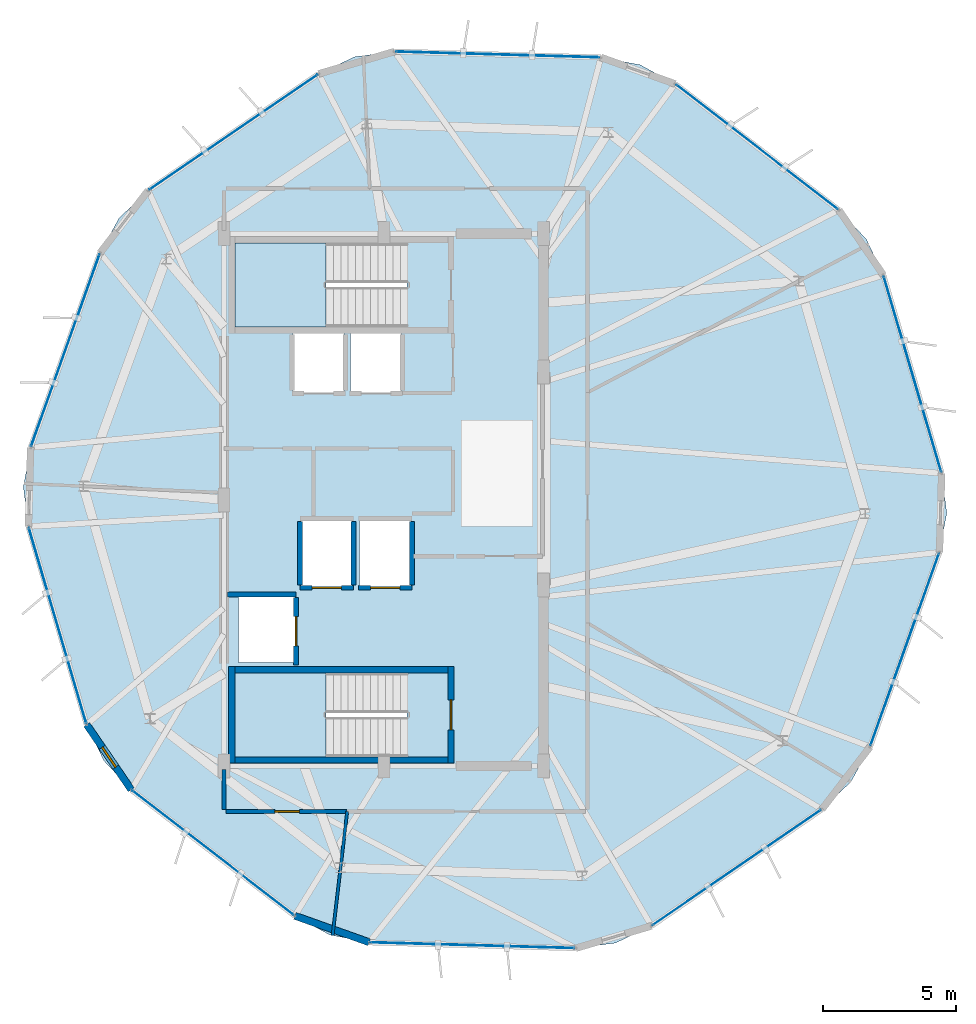
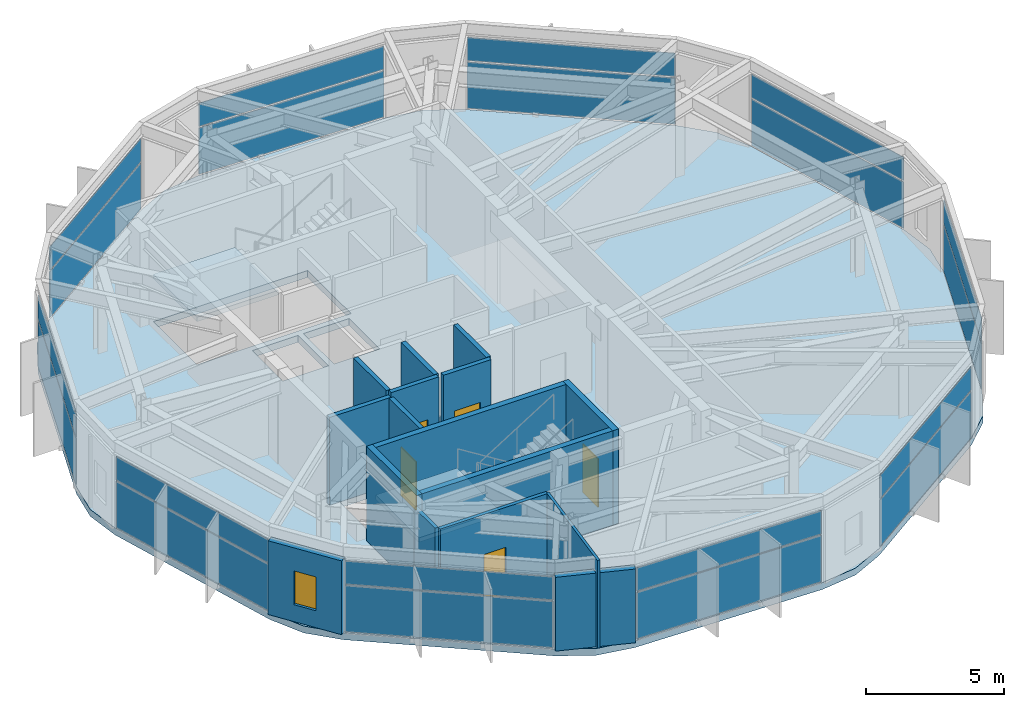
# One storey, part 15 of 20: 20 plates, 16 walls, 5 doors, 3 slabs, 1 window, 6 openings, 12 elements without a shape of their own.
"""IFC4 building model written with IfcOpenShell, lengths in metres."""

from ifc_helpers import new_model, si_unit, direction, frame, frame_2d, origin, origin_2d, place, context, subcontext, project, spatial, polyline, rectangle, outline, extrude, material, layer, layer_set, type_object, element, fill, aggregate, save


model = new_model("IFC4")

# Units and contexts
model_context = context("Model", 3, precision=1e-05, world=origin(), true_north=direction((0.0, 1.0)))
body_context = subcontext(model_context, "Body", "Model", "MODEL_VIEW")
ifc_project = project(units=[si_unit("LENGTHUNIT", "METRE"), si_unit("AREAUNIT", "SQUARE_METRE"), si_unit("VOLUMEUNIT", "CUBIC_METRE"), si_unit("PLANEANGLEUNIT", "RADIAN"), si_unit("MASSUNIT", "GRAM", prefix="KILO")], contexts=[model_context])

# Site, building, storey
site_placement = place(None, origin())
site = spatial("IfcSite", under=ifc_project, at=site_placement, CompositionType="ELEMENT")
building_placement = place(site_placement, origin())
building = spatial("IfcBuilding", under=site, at=building_placement, Name="Soratama Intermodal Tower", CompositionType="ELEMENT")
storey_placement = place(building_placement, frame((0.0, 0.0, 293.050048828125)))
storey = spatial("IfcBuildingStorey", under=building, at=storey_placement, Name="L74", CompositionType="ELEMENT", Elevation=293.050048828125)

# Curtain wall, plates
ifc_material_1 = material(Name="Double-glazed aluminium curtain wall", Category="aluminium")
ifc_layer_1 = layer(ifc_material_1, 0.159912109375)
ifc_layer_set_1 = layer_set([ifc_layer_1], Name="Double-glazed aluminium curtain wall")
curtain_wall_type = type_object("IfcCurtainWallType", Name="CW-SYS-6", PredefinedType="NOTDEFINED", material=ifc_layer_set_1)
curtain_wall_1_placement = place(storey_placement, origin())
curtain_wall_1 = element("IfcCurtainWall", 1, at=curtain_wall_1_placement, inside=storey, type_object=curtain_wall_type, Name="L74 Faceted Curtain Wall F01", PredefinedType="NOTDEFINED")
ifc_material_2 = material(Name="Low-E laminated double glazing", Category="glass")
ifc_layer_2 = layer(ifc_material_2, 0.01806640625)
ifc_layer_set_2 = layer_set([ifc_layer_2], Name="Low-E laminated double glazing")
plate_type = type_object("IfcPlateType", Name="PT-CWP-6", PredefinedType="CURTAIN_PANEL", material=ifc_layer_set_2)
plate_1_placement = place(storey_placement, frame((42.873291015625, 41.73193359375, 0.059814453125), z_axis=(0.0, 0.0, 1.0), x_axis=(-0.999600037722, 0.028280109381, 0.0)))
plate_1 = element("IfcPlate", 2, at=plate_1_placement, type_object=plate_type, Name="CW-6 panel 1.1", PredefinedType="CURTAIN_PANEL", context=body_context, shape_type="SweptSolid", body=[
    extrude(rectangle(XDim=7.63818359375, YDim=0.028076171875, at=origin_2d()), origin(), (0.0, 0.0, 1.0), 2.06005859375),
])
plate_2_placement = place(storey_placement, frame((42.873291015625, 41.73193359375, 2.18017578125), z_axis=(0.0, 0.0, 1.0), x_axis=(-0.999600037722, 0.028280109381, 0.0)))
plate_2 = element("IfcPlate", 3, at=plate_2_placement, type_object=plate_type, Name="CW-6 panel 1.2", PredefinedType="CURTAIN_PANEL", context=body_context, shape_type="SweptSolid", body=[
    extrude(rectangle(XDim=7.63818359375, YDim=0.028076171875, at=origin_2d()), origin(), (0.0, 0.0, 1.0), 1.033935546875),
])
aggregate(curtain_wall_1, [plate_1, plate_2])

curtain_wall_2_placement = place(storey_placement, origin())
curtain_wall_2 = element("IfcCurtainWall", 4, at=curtain_wall_2_placement, inside=storey, type_object=curtain_wall_type, Name="L74 Faceted Curtain Wall F02", PredefinedType="NOTDEFINED")
plate_3_placement = place(storey_placement, frame((32.947998046875, 38.814453125, 0.059814453125), z_axis=(0.0, 0.0, 1.0), x_axis=(-0.825309158209, -0.564681143103, 0.0)))
plate_3 = element("IfcPlate", 5, at=plate_3_placement, type_object=plate_type, Name="CW-6 panel 1.1", PredefinedType="CURTAIN_PANEL", context=body_context, shape_type="SweptSolid", body=[
    extrude(rectangle(XDim=7.63818359375, YDim=0.028076171875, at=origin_2d()), origin(), (0.0, 0.0, 1.0), 2.06005859375),
])
plate_4_placement = place(storey_placement, frame((32.947998046875, 38.814453125, 2.18017578125), z_axis=(0.0, 0.0, 1.0), x_axis=(-0.825309158209, -0.564681143103, 0.0)))
plate_4 = element("IfcPlate", 6, at=plate_4_placement, type_object=plate_type, Name="CW-6 panel 1.2", PredefinedType="CURTAIN_PANEL", context=body_context, shape_type="SweptSolid", body=[
    extrude(rectangle(XDim=7.63818359375, YDim=0.028076171875, at=origin_2d()), origin(), (0.0, 0.0, 1.0), 1.033935546875),
])
aggregate(curtain_wall_2, [plate_3, plate_4])

curtain_wall_3_placement = place(storey_placement, origin())
curtain_wall_3 = element("IfcCurtainWall", 7, at=curtain_wall_3_placement, inside=storey, type_object=curtain_wall_type, Name="L74 Faceted Curtain Wall F03", PredefinedType="NOTDEFINED")
plate_5_placement = place(storey_placement, frame((26.63330078125, 30.62060546875, 0.059814453125), z_axis=(0.0, 0.0, 1.0), x_axis=(-0.335784365344, -0.941938883362, 0.0)))
plate_5 = element("IfcPlate", 8, at=plate_5_placement, type_object=plate_type, Name="CW-6 panel 1.1", PredefinedType="CURTAIN_PANEL", context=body_context, shape_type="SweptSolid", body=[
    extrude(rectangle(XDim=7.63818359375, YDim=0.028076171875, at=origin_2d()), origin(), (0.0, 0.0, 1.0), 2.06005859375),
])
plate_6_placement = place(storey_placement, frame((26.63330078125, 30.62060546875, 2.18017578125), z_axis=(0.0, 0.0, 1.0), x_axis=(-0.335784365344, -0.941938883362, 0.0)))
plate_6 = element("IfcPlate", 9, at=plate_6_placement, type_object=plate_type, Name="CW-6 panel 1.2", PredefinedType="CURTAIN_PANEL", context=body_context, shape_type="SweptSolid", body=[
    extrude(rectangle(XDim=7.63818359375, YDim=0.028076171875, at=origin_2d()), origin(), (0.0, 0.0, 1.0), 1.033935546875),
])
aggregate(curtain_wall_3, [plate_5, plate_6])

curtain_wall_4_placement = place(storey_placement, origin())
curtain_wall_4 = element("IfcCurtainWall", 10, at=curtain_wall_4_placement, inside=storey, type_object=curtain_wall_type, Name="L74 Faceted Curtain Wall F04", PredefinedType="NOTDEFINED")
plate_7_placement = place(storey_placement, frame((26.3408203125, 20.279541015625, 0.059814453125), z_axis=(0.0, 0.0, 1.0), x_axis=(0.282003021758, -0.95941351654, 0.0)))
plate_7 = element("IfcPlate", 11, at=plate_7_placement, type_object=plate_type, Name="CW-6 panel 1.1", PredefinedType="CURTAIN_PANEL", context=body_context, shape_type="SweptSolid", body=[
    extrude(rectangle(XDim=7.63818359375, YDim=0.028076171875, at=origin_2d()), origin(), (0.0, 0.0, 1.0), 2.06005859375),
])
plate_8_placement = place(storey_placement, frame((26.3408203125, 20.279541015625, 2.18017578125), z_axis=(0.0, 0.0, 1.0), x_axis=(0.282003021758, -0.95941351654, 0.0)))
plate_8 = element("IfcPlate", 12, at=plate_8_placement, type_object=plate_type, Name="CW-6 panel 1.2", PredefinedType="CURTAIN_PANEL", context=body_context, shape_type="SweptSolid", body=[
    extrude(rectangle(XDim=7.63818359375, YDim=0.028076171875, at=origin_2d()), origin(), (0.0, 0.0, 1.0), 1.033935546875),
])
aggregate(curtain_wall_4, [plate_7, plate_8])

curtain_wall_5_placement = place(storey_placement, origin())
curtain_wall_5 = element("IfcCurtainWall", 13, at=curtain_wall_5_placement, inside=storey, type_object=curtain_wall_type, Name="L74 Faceted Curtain Wall F05", PredefinedType="NOTDEFINED")
plate_9_placement = place(storey_placement, frame((32.182373046875, 11.74169921875, 0.059814453125), z_axis=(0.0, 0.0, 1.0), x_axis=(0.79207693295, -0.61042127444, 0.0)))
plate_9 = element("IfcPlate", 14, at=plate_9_placement, type_object=plate_type, Name="CW-6 panel 1.1", PredefinedType="CURTAIN_PANEL", context=body_context, shape_type="SweptSolid", body=[
    extrude(rectangle(XDim=7.63818359375, YDim=0.028076171875, at=origin_2d()), origin(), (0.0, 0.0, 1.0), 2.06005859375),
])
plate_10_placement = place(storey_placement, frame((32.182373046875, 11.74169921875, 2.18017578125), z_axis=(0.0, 0.0, 1.0), x_axis=(0.79207693295, -0.61042127444, 0.0)))
plate_10 = element("IfcPlate", 15, at=plate_10_placement, type_object=plate_type, Name="CW-6 panel 1.2", PredefinedType="CURTAIN_PANEL", context=body_context, shape_type="SweptSolid", body=[
    extrude(rectangle(XDim=7.63818359375, YDim=0.028076171875, at=origin_2d()), origin(), (0.0, 0.0, 1.0), 1.033935546875),
])
aggregate(curtain_wall_5, [plate_9, plate_10])

curtain_wall_6_placement = place(storey_placement, origin())
curtain_wall_6 = element("IfcCurtainWall", 16, at=curtain_wall_6_placement, inside=storey, type_object=curtain_wall_type, Name="L74 Faceted Curtain Wall F06", PredefinedType="NOTDEFINED")
plate_11_placement = place(storey_placement, frame((41.9267578125, 8.26806640625, 0.059814453125), z_axis=(0.0, 0.0, 1.0), x_axis=(0.999600037722, -0.028280109381, 0.0)))
plate_11 = element("IfcPlate", 17, at=plate_11_placement, type_object=plate_type, Name="CW-6 panel 1.1", PredefinedType="CURTAIN_PANEL", context=body_context, shape_type="SweptSolid", body=[
    extrude(rectangle(XDim=7.63818359375, YDim=0.028076171875, at=origin_2d()), origin(), (0.0, 0.0, 1.0), 2.06005859375),
])
plate_12_placement = place(storey_placement, frame((41.9267578125, 8.26806640625, 2.18017578125), z_axis=(0.0, 0.0, 1.0), x_axis=(0.999600037722, -0.028280109381, 0.0)))
plate_12 = element("IfcPlate", 18, at=plate_12_placement, type_object=plate_type, Name="CW-6 panel 1.2", PredefinedType="CURTAIN_PANEL", context=body_context, shape_type="SweptSolid", body=[
    extrude(rectangle(XDim=7.63818359375, YDim=0.028076171875, at=origin_2d()), origin(), (0.0, 0.0, 1.0), 1.033935546875),
])
aggregate(curtain_wall_6, [plate_11, plate_12])

curtain_wall_7_placement = place(storey_placement, origin())
curtain_wall_7 = element("IfcCurtainWall", 19, at=curtain_wall_7_placement, inside=storey, type_object=curtain_wall_type, Name="L74 Faceted Curtain Wall F07", PredefinedType="NOTDEFINED")
plate_13_placement = place(storey_placement, frame((51.85205078125, 11.185546875, 0.059814453125), z_axis=(0.0, 0.0, 1.0), x_axis=(0.825309158209, 0.564681143103, 0.0)))
plate_13 = element("IfcPlate", 20, at=plate_13_placement, type_object=plate_type, Name="CW-6 panel 1.1", PredefinedType="CURTAIN_PANEL", context=body_context, shape_type="SweptSolid", body=[
    extrude(rectangle(XDim=7.63818359375, YDim=0.028076171875, at=origin_2d()), origin(), (0.0, 0.0, 1.0), 2.06005859375),
])
plate_14_placement = place(storey_placement, frame((51.85205078125, 11.185546875, 2.18017578125), z_axis=(0.0, 0.0, 1.0), x_axis=(0.825309158209, 0.564681143103, 0.0)))
plate_14 = element("IfcPlate", 21, at=plate_14_placement, type_object=plate_type, Name="CW-6 panel 1.2", PredefinedType="CURTAIN_PANEL", context=body_context, shape_type="SweptSolid", body=[
    extrude(rectangle(XDim=7.63818359375, YDim=0.028076171875, at=origin_2d()), origin(), (0.0, 0.0, 1.0), 1.033935546875),
])
aggregate(curtain_wall_7, [plate_13, plate_14])

curtain_wall_8_placement = place(storey_placement, origin())
curtain_wall_8 = element("IfcCurtainWall", 22, at=curtain_wall_8_placement, inside=storey, type_object=curtain_wall_type, Name="L74 Faceted Curtain Wall F08", PredefinedType="NOTDEFINED")
plate_15_placement = place(storey_placement, frame((58.166748046875, 19.37939453125, 0.059814453125), z_axis=(0.0, 0.0, 1.0), x_axis=(0.335784365344, 0.941938883362, 0.0)))
plate_15 = element("IfcPlate", 23, at=plate_15_placement, type_object=plate_type, Name="CW-6 panel 1.1", PredefinedType="CURTAIN_PANEL", context=body_context, shape_type="SweptSolid", body=[
    extrude(rectangle(XDim=7.63818359375, YDim=0.028076171875, at=origin_2d()), origin(), (0.0, 0.0, 1.0), 2.06005859375),
])
plate_16_placement = place(storey_placement, frame((58.166748046875, 19.37939453125, 2.18017578125), z_axis=(0.0, 0.0, 1.0), x_axis=(0.335784365344, 0.941938883362, 0.0)))
plate_16 = element("IfcPlate", 24, at=plate_16_placement, type_object=plate_type, Name="CW-6 panel 1.2", PredefinedType="CURTAIN_PANEL", context=body_context, shape_type="SweptSolid", body=[
    extrude(rectangle(XDim=7.63818359375, YDim=0.028076171875, at=origin_2d()), origin(), (0.0, 0.0, 1.0), 1.033935546875),
])
aggregate(curtain_wall_8, [plate_15, plate_16])

curtain_wall_9_placement = place(storey_placement, origin())
curtain_wall_9 = element("IfcCurtainWall", 25, at=curtain_wall_9_placement, inside=storey, type_object=curtain_wall_type, Name="L74 Faceted Curtain Wall F09", PredefinedType="NOTDEFINED")
plate_17_placement = place(storey_placement, frame((58.459228515625, 29.720458984375, 0.059814453125), z_axis=(0.0, 0.0, 1.0), x_axis=(-0.282003021758, 0.95941351654, 0.0)))
plate_17 = element("IfcPlate", 26, at=plate_17_placement, type_object=plate_type, Name="CW-6 panel 1.1", PredefinedType="CURTAIN_PANEL", context=body_context, shape_type="SweptSolid", body=[
    extrude(rectangle(XDim=7.63818359375, YDim=0.028076171875, at=origin_2d()), origin(), (0.0, 0.0, 1.0), 2.06005859375),
])
plate_18_placement = place(storey_placement, frame((58.459228515625, 29.720458984375, 2.18017578125), z_axis=(0.0, 0.0, 1.0), x_axis=(-0.282003021758, 0.95941351654, 0.0)))
plate_18 = element("IfcPlate", 27, at=plate_18_placement, type_object=plate_type, Name="CW-6 panel 1.2", PredefinedType="CURTAIN_PANEL", context=body_context, shape_type="SweptSolid", body=[
    extrude(rectangle(XDim=7.63818359375, YDim=0.028076171875, at=origin_2d()), origin(), (0.0, 0.0, 1.0), 1.033935546875),
])
aggregate(curtain_wall_9, [plate_17, plate_18])

curtain_wall_10_placement = place(storey_placement, origin())
curtain_wall_10 = element("IfcCurtainWall", 28, at=curtain_wall_10_placement, inside=storey, type_object=curtain_wall_type, Name="L74 Faceted Curtain Wall F10", PredefinedType="NOTDEFINED")
plate_19_placement = place(storey_placement, frame((52.61767578125, 38.25830078125, 0.059814453125), z_axis=(0.0, 0.0, 1.0), x_axis=(-0.79207693295, 0.61042127444, 0.0)))
plate_19 = element("IfcPlate", 29, at=plate_19_placement, type_object=plate_type, Name="CW-6 panel 1.1", PredefinedType="CURTAIN_PANEL", context=body_context, shape_type="SweptSolid", body=[
    extrude(rectangle(XDim=7.63818359375, YDim=0.028076171875, at=origin_2d()), origin(), (0.0, 0.0, 1.0), 2.06005859375),
])
plate_20_placement = place(storey_placement, frame((52.61767578125, 38.25830078125, 2.18017578125), z_axis=(0.0, 0.0, 1.0), x_axis=(-0.79207693295, 0.61042127444, 0.0)))
plate_20 = element("IfcPlate", 30, at=plate_20_placement, type_object=plate_type, Name="CW-6 panel 1.2", PredefinedType="CURTAIN_PANEL", context=body_context, shape_type="SweptSolid", body=[
    extrude(rectangle(XDim=7.63818359375, YDim=0.028076171875, at=origin_2d()), origin(), (0.0, 0.0, 1.0), 1.033935546875),
])
aggregate(curtain_wall_10, [plate_19, plate_20])

# Slab
ifc_material_3 = material(Name="Concrete f'c 42 MPa", Category="concrete")
ifc_layer_3 = layer(ifc_material_3, 0.260009765625)
ifc_layer_set_3 = layer_set([ifc_layer_3], Name="Concrete f'c 42 MPa")
slab_type_1 = type_object("IfcSlabType", Name="SL-CRN-260", PredefinedType="FLOOR", material=ifc_layer_set_3)
slab_1_placement = place(storey_placement, frame((0.0, 0.0, -0.304931640625)))
element("IfcSlab", 31, at=slab_1_placement, inside=storey, type_object=slab_type_1, Name="L74 Structural Floor Slab", PredefinedType="FLOOR", context=body_context, shape_type="SweptSolid", body=[
    extrude(outline(polyline([(49.545166015625, 40.626220703125), (48.226806640625, 41.345458984375), (46.750732421875, 41.622314453125), (38.99560546875, 41.841552734375), (37.50634765625, 41.648681640625), (36.1494140625, 41.0048828125), (29.74658203125, 36.6240234375), (28.655029296875, 35.592529296875), (27.935791015625, 34.2744140625), (25.330810546875, 26.966552734375), (25.053955078125, 25.490478515625), (25.246826171875, 24.001220703125), (27.434814453125, 16.55810546875), (28.078369140625, 15.201171875), (29.10986328125, 14.109619140625), (35.2548828125, 9.373779296875), (36.5732421875, 8.654541015625), (38.04931640625, 8.377685546875), (45.80419921875, 8.158447265625), (47.293701171875, 8.351318359375), (48.650390625, 8.9951171875), (55.053466796875, 13.3759765625), (56.14501953125, 14.407470703125), (56.8642578125, 15.7255859375), (59.46923828125, 23.033447265625), (59.74609375, 24.509521484375), (59.552978515625, 25.998779296875), (57.365234375, 33.44189453125), (56.7216796875, 34.798828125), (55.690185546875, 35.890380859375), (49.545166015625, 40.626220703125)]), holes=[polyline([(33.0, 15.35009765625), (39.47509765625, 15.35009765625), (39.47509765625, 18.5), (33.0, 18.5), (33.0, 15.35009765625)]), polyline([(35.260009765625, 21.409912109375), (33.139892578125, 21.409912109375), (33.139892578125, 18.889892578125), (35.260009765625, 18.889892578125), (35.260009765625, 21.409912109375)]), polyline([(37.409912109375, 24.260009765625), (35.489990234375, 24.260009765625), (35.489990234375, 21.739990234375), (37.409912109375, 21.739990234375), (37.409912109375, 24.260009765625)]), polyline([(39.610107421875, 24.260009765625), (37.68994140625, 24.260009765625), (37.68994140625, 21.739990234375), (39.610107421875, 21.739990234375), (39.610107421875, 24.260009765625)]), polyline([(37.110107421875, 31.260009765625), (35.18994140625, 31.260009765625), (35.18994140625, 29.0400390625), (37.110107421875, 29.0400390625), (37.110107421875, 31.260009765625)]), polyline([(39.260009765625, 31.260009765625), (37.340087890625, 31.260009765625), (37.340087890625, 29.0400390625), (39.260009765625, 29.0400390625), (39.260009765625, 31.260009765625)]), polyline([(33.0, 34.64990234375), (33.0, 31.5), (39.47509765625, 31.5), (39.47509765625, 34.64990234375), (33.0, 34.64990234375)])]), origin(), (0.0, 0.0, 1.0), 0.304931640625),
])

# Stair, slab
ifc_material_4 = material(Name="Concrete f'c 42 MPa", Category="concrete")
stair_type = type_object("IfcStairType", Name="ST-CORE-DOGLEG", PredefinedType="HALF_TURN_STAIR", material=ifc_material_4)
stair_1_placement = place(storey_placement, origin())
stair_1 = element("IfcStair", 32, at=stair_1_placement, inside=storey, type_object=stair_type, Name="L74 ST-1", PredefinedType="HALF_TURN_STAIR")
ifc_material_5 = material(Name="Concrete f'c 42 MPa", Category="concrete")
ifc_layer_4 = layer(ifc_material_5, 0.219970703125)
ifc_layer_set_4 = layer_set([ifc_layer_4], Name="Concrete f'c 42 MPa")
slab_type_2 = type_object("IfcSlabType", Name="SL-STAIR-LAND", PredefinedType="LANDING", material=ifc_layer_set_4)
slab_2_placement = place(storey_placement, frame((0.0, 0.0, 1.89990234375)))
slab_2 = element("IfcSlab", 33, at=slab_2_placement, type_object=slab_type_2, Name="ST-1 landing 1", PredefinedType="LANDING", context=body_context, shape_type="SweptSolid", body=[
    extrude(outline(polyline([(36.419921875, 18.5), (33.0, 18.5), (33.0, 15.35009765625), (36.419921875, 15.35009765625), (36.419921875, 18.5)])), origin(), (0.0, 0.0, 1.0), 0.199951171875),
])
aggregate(stair_1, [slab_2])

stair_2_placement = place(storey_placement, origin())
stair_2 = element("IfcStair", 34, at=stair_2_placement, inside=storey, type_object=stair_type, Name="L74 ST-2", PredefinedType="HALF_TURN_STAIR")
slab_3_placement = place(storey_placement, frame((0.0, 0.0, 1.89990234375)))
slab_3 = element("IfcSlab", 35, at=slab_3_placement, type_object=slab_type_2, Name="ST-2 landing 1", PredefinedType="LANDING", context=body_context, shape_type="SweptSolid", body=[
    extrude(outline(polyline([(36.419921875, 34.64990234375), (33.0, 34.64990234375), (33.0, 31.5), (36.419921875, 31.5), (36.419921875, 34.64990234375)])), origin(), (0.0, 0.0, 1.0), 0.199951171875),
])
aggregate(stair_2, [slab_3])

# Wall, opening, window
ifc_material_6 = material(Name="Concrete f'c 42 MPa", Category="concrete")
ifc_layer_5 = layer(ifc_material_6, 0.27001953125)
ifc_layer_set_5 = layer_set([ifc_layer_5], Name="Concrete f'c 42 MPa")
wall_type_1 = type_object("IfcWallType", Name="EW-CRN-270", PredefinedType="SOLIDWALL", material=ifc_layer_set_5)
wall_1_placement = place(storey_placement, frame((27.434814453125, 16.55810546875, 0.0), z_axis=(0.0, 0.0, 1.0), x_axis=(0.564630810404, -0.82534359387, 0.0)))
wall_1 = element("IfcWall", 36, at=wall_1_placement, inside=storey, type_object=wall_type_1, Name="L74 Corner Closure Wall 04", PredefinedType="SOLIDWALL", context=body_context, shape_type="SweptSolid", body=[
    extrude(rectangle(XDim=2.966552734375, YDim=0.27001953125, at=frame_2d((1.4833984375, 0.0))), origin(), (0.0, 0.0, 1.0), 3.27392578125),
])
opening_1_placement = place(wall_1_placement, frame((1.033203125, 0.0, 0.75)))
opening_1 = element("IfcOpeningElement", 37, at=opening_1_placement, cuts=wall_1, Name="Opening WN-6", PredefinedType="OPENING", context=body_context, shape_type="SweptSolid", body=[
    extrude(rectangle(XDim=0.89990234375, YDim=1.5, at=frame_2d((0.449951171875, 0.75))), frame((0.0, 0.14501953125, 0.0), z_axis=(0.0, -1.0, 0.0), x_axis=(1.0, 0.0, 0.0)), (0.0, 0.0, 1.0), 0.2900390625),
])
ifc_material_7 = material(Name="Double-glazed aluminium window", Category="aluminium")
window_type = type_object("IfcWindowType", Name="WN-FAC-900", PartitioningType="SINGLE_PANEL", PredefinedType="WINDOW", material=ifc_material_7)
window_placement = place(opening_1_placement, origin())
window = element("IfcWindow", 38, at=window_placement, inside=storey, type_object=window_type, Name="L74 Corner Window 04", OverallHeight=1.5, OverallWidth=0.89990234375, PartitioningType="SINGLE_PANEL", PredefinedType="WINDOW", context=body_context, shape_type="SweptSolid", body=[
    extrude(rectangle(XDim=0.89990234375, YDim=1.5, at=frame_2d((0.449951171875, 0.75))), frame((0.0, 0.030029296875, 0.0), z_axis=(0.0, -1.0, 0.0), x_axis=(1.0, 0.0, 0.0)), (0.0, 0.0, 1.0), 0.06005859375),
])
fill(opening_1, window)

# Wall
wall_2_placement = place(storey_placement, frame((35.2548828125, 9.373779296875, 0.0), z_axis=(0.0, 0.0, 1.0), x_axis=(0.941946543117, -0.335762877505, 0.0)))
element("IfcWall", 39, at=wall_2_placement, inside=storey, type_object=wall_type_1, Name="L74 Corner Closure Wall 05", PredefinedType="SOLIDWALL", context=body_context, shape_type="SweptSolid", body=[
    extrude(rectangle(XDim=2.966552734375, YDim=0.27001953125, at=frame_2d((1.4833984375, 0.0))), origin(), (0.0, 0.0, 1.0), 3.27392578125),
])

# Wall, opening, door
ifc_material_8 = material(Name="Fire-rated gypsum stud partition", Category="concrete")
ifc_layer_6 = layer(ifc_material_8, 0.14990234375)
ifc_layer_set_6 = layer_set([ifc_layer_6], Name="Fire-rated gypsum stud partition")
wall_type_2 = type_object("IfcWallType", Name="IW-PART-R150", PredefinedType="PARTITIONING", material=ifc_layer_set_6)
wall_3_placement = place(storey_placement, frame((37.220947265625, 13.300048828125, 0.0), z_axis=(0.0, 0.0, 1.0), x_axis=(-1.0, 0.0, 0.0)))
wall_3 = element("IfcWall", 40, at=wall_3_placement, inside=storey, type_object=wall_type_2, Name="L74 Partition W-L74-TP014", PredefinedType="PARTITIONING", context=body_context, shape_type="SweptSolid", body=[
    extrude(rectangle(XDim=4.551025390625, YDim=0.14990234375, at=frame_2d((2.275390625, 0.0))), origin(), (0.0, 0.0, 1.0), 3.89501953125),
])
opening_2_placement = place(wall_3_placement, frame((1.800048828125, 0.0, 0.0)))
opening_2 = element("IfcOpeningElement", 41, at=opening_2_placement, cuts=wall_3, Name="Opening ID-6", PredefinedType="OPENING", context=body_context, shape_type="SweptSolid", body=[
    extrude(rectangle(XDim=0.919921875, YDim=2.1201171875, at=frame_2d((0.4599609375, 1.06005859375))), frame((0.0, 0.0849609375, 0.0), z_axis=(0.0, -1.0, 0.0), x_axis=(1.0, 0.0, 0.0)), (0.0, 0.0, 1.0), 0.169921875),
])
ifc_material_9 = material(Name="Solid hardwood acoustic door", Category="wood")
door_type_1 = type_object("IfcDoorType", Name="DR-ROOM-920", OperationType="NOTDEFINED", PredefinedType="DOOR", material=ifc_material_9)
door_1_placement = place(opening_2_placement, origin())
door_1 = element("IfcDoor", 42, at=door_1_placement, inside=storey, type_object=door_type_1, Name="L74 Door D-L74-TP007", OperationType="SINGLE_SWING_RIGHT", OverallHeight=2.1201171875, OverallWidth=0.919921875, PredefinedType="DOOR", context=body_context, shape_type="SweptSolid", body=[
    extrude(rectangle(XDim=0.919921875, YDim=2.1201171875, at=frame_2d((0.4599609375, 1.06005859375))), frame((0.0, 0.02490234375, 0.0), z_axis=(0.0, -1.0, 0.0), x_axis=(1.0, 0.0, 0.0)), (0.0, 0.0, 1.0), 0.050048828125),
])
fill(opening_2, door_1)

# Walls
wall_4_placement = place(storey_placement, frame((32.60009765625, 13.3701171875, 0.0), z_axis=(0.0, 0.0, 1.0), x_axis=(0.0, 1.0, 0.0)))
element("IfcWall", 43, at=wall_4_placement, inside=storey, type_object=wall_type_2, Name="L74 Partition W-L74-TP023", PredefinedType="PARTITIONING", context=body_context, shape_type="SweptSolid", body=[
    extrude(rectangle(XDim=1.509765625, YDim=0.14990234375, at=frame_2d((0.7548828125, 0.0))), origin(), (0.0, 0.0, 1.0), 3.89501953125),
])
ifc_material_10 = material(Name="Fire-rated gypsum stud partition", Category="concrete")
ifc_layer_7 = layer(ifc_material_10, 0.110107421875)
ifc_layer_set_7 = layer_set([ifc_layer_7], Name="Fire-rated gypsum stud partition")
wall_type_3 = type_object("IfcWallType", Name="IW-PART-S110", PredefinedType="PARTITIONING", material=ifc_layer_set_7)
wall_5_placement = place(storey_placement, frame((37.220947265625, 13.300048828125, 0.0), z_axis=(0.0, 0.0, 1.0), x_axis=(-0.116865377729, -0.993147765183, 0.0)))
element("IfcWall", 44, at=wall_5_placement, inside=storey, type_object=wall_type_3, Name="L74 Partition W-L74-TP013", PredefinedType="PARTITIONING", context=body_context, shape_type="SweptSolid", body=[
    extrude(rectangle(XDim=4.6962890625, YDim=0.110107421875, at=frame_2d((2.34814453125, 0.0))), origin(), (0.0, 0.0, 1.0), 3.89501953125),
])

# Wall, opening, door
ifc_material_11 = material(Name="Concrete f'c 42 MPa", Category="concrete")
ifc_layer_8 = layer(ifc_material_11, 0.18505859375)
ifc_layer_set_8 = layer_set([ifc_layer_8], Name="Concrete f'c 42 MPa")
wall_type_4 = type_object("IfcWallType", Name="IW-SHAFT-185", PredefinedType="SOLIDWALL", material=ifc_layer_set_8)
wall_6_placement = place(storey_placement, frame((35.449951171875, 21.699951171875, 0.0), z_axis=(0.0, 0.0, 1.0), x_axis=(1.0, 0.0, 0.0)))
wall_6 = element("IfcWall", 45, at=wall_6_placement, inside=storey, type_object=wall_type_4, Name="L74 FFL-1 Hoistway Wall S", PredefinedType="SOLIDWALL", context=body_context, shape_type="SweptSolid", body=[
    extrude(rectangle(XDim=2.0, YDim=0.18505859375, at=frame_2d((1.0, 0.0))), origin(), (0.0, 0.0, 1.0), 3.89501953125),
])
opening_3_placement = place(wall_6_placement, frame((0.449951171875, 0.0, 0.0)))
opening_3 = element("IfcOpeningElement", 46, at=opening_3_placement, cuts=wall_6, Name="Opening LD-1", PredefinedType="OPENING", context=body_context, shape_type="SweptSolid", body=[
    extrude(rectangle(XDim=1.10009765625, YDim=2.14990234375, at=frame_2d((0.550048828125, 1.074951171875))), frame((0.0, 0.1025390625, 0.0), z_axis=(0.0, -1.0, 0.0), x_axis=(1.0, 0.0, 0.0)), (0.0, 0.0, 1.0), 0.205078125),
])
ifc_material_12 = material(Name="Steel fire door", Category="steel")
door_type_2 = type_object("IfcDoorType", Name="DR-LIFT-SLIDE", OperationType="NOTDEFINED", PredefinedType="DOOR", material=ifc_material_12)
door_2_placement = place(opening_3_placement, origin())
door_2 = element("IfcDoor", 47, at=door_2_placement, inside=storey, type_object=door_type_2, Name="L74 FFL-1 Sliding Landing Door", OperationType="SLIDING_TO_LEFT", OverallHeight=2.14990234375, OverallWidth=1.10009765625, PredefinedType="DOOR", context=body_context, shape_type="SweptSolid", body=[
    extrude(rectangle(XDim=1.10009765625, YDim=2.14990234375, at=frame_2d((0.550048828125, 1.074951171875))), frame((0.0, 0.02490234375, 0.0), z_axis=(0.0, -1.0, 0.0), x_axis=(1.0, 0.0, 0.0)), (0.0, 0.0, 1.0), 0.050048828125),
])
fill(opening_3, door_2)

# Walls
for number, where, z_axis, x_axis, name in (
    (48, (35.449951171875, 21.81005859375, 0.0), (0.0, 0.0, 1.0), (0.0, 1.0, 0.0), "L74 FFL-1 Hoistway Wall W"),
    (49, (37.449951171875, 21.81005859375, 0.0), (0.0, 0.0, 1.0), (0.0, 1.0, 0.0), "L74 FFL-1 Hoistway Wall E"),
):
    element("IfcWall", number, at=place(storey_placement, frame(where, z_axis=z_axis, x_axis=x_axis)), inside=storey, type_object=wall_type_4, Name=name, PredefinedType="SOLIDWALL", context=body_context, shape_type="SweptSolid", body=[
        extrude(rectangle(XDim=2.3798828125, YDim=0.18505859375, at=frame_2d((1.18994140625, 0.0))), origin(), (0.0, 0.0, 1.0), 3.89501953125),
    ])

# Wall, opening, door
wall_7_placement = place(storey_placement, frame((37.64990234375, 21.699951171875, 0.0), z_axis=(0.0, 0.0, 1.0), x_axis=(1.0, 0.0, 0.0)))
wall_7 = element("IfcWall", 50, at=wall_7_placement, inside=storey, type_object=wall_type_4, Name="L74 FFL-2 Hoistway Wall S", PredefinedType="SOLIDWALL", context=body_context, shape_type="SweptSolid", body=[
    extrude(rectangle(XDim=2.0, YDim=0.18505859375, at=frame_2d((1.0, 0.0))), origin(), (0.0, 0.0, 1.0), 3.89501953125),
])
opening_4_placement = place(wall_7_placement, frame((0.449951171875, 0.0, 0.0)))
opening_4 = element("IfcOpeningElement", 51, at=opening_4_placement, cuts=wall_7, Name="Opening LD-1", PredefinedType="OPENING", context=body_context, shape_type="SweptSolid", body=[
    extrude(rectangle(XDim=1.10009765625, YDim=2.14990234375, at=frame_2d((0.550048828125, 1.074951171875))), frame((0.0, 0.1025390625, 0.0), z_axis=(0.0, -1.0, 0.0), x_axis=(1.0, 0.0, 0.0)), (0.0, 0.0, 1.0), 0.205078125),
])
door_3_placement = place(opening_4_placement, origin())
door_3 = element("IfcDoor", 52, at=door_3_placement, inside=storey, type_object=door_type_2, Name="L74 FFL-2 Sliding Landing Door", OperationType="SLIDING_TO_LEFT", OverallHeight=2.14990234375, OverallWidth=1.10009765625, PredefinedType="DOOR", context=body_context, shape_type="SweptSolid", body=[
    extrude(rectangle(XDim=1.10009765625, YDim=2.14990234375, at=frame_2d((0.550048828125, 1.074951171875))), frame((0.0, 0.02490234375, 0.0), z_axis=(0.0, -1.0, 0.0), x_axis=(1.0, 0.0, 0.0)), (0.0, 0.0, 1.0), 0.050048828125),
])
fill(opening_4, door_3)

# Walls
wall_8_placement = place(storey_placement, frame((39.64990234375, 21.81005859375, 0.0), z_axis=(0.0, 0.0, 1.0), x_axis=(0.0, 1.0, 0.0)))
element("IfcWall", 53, at=wall_8_placement, inside=storey, type_object=wall_type_4, Name="L74 FFL-2 Hoistway Wall E", PredefinedType="SOLIDWALL", context=body_context, shape_type="SweptSolid", body=[
    extrude(rectangle(XDim=2.3798828125, YDim=0.18505859375, at=frame_2d((1.18994140625, 0.0))), origin(), (0.0, 0.0, 1.0), 3.89501953125),
])
wall_9_placement = place(storey_placement, frame((32.719970703125, 21.449951171875, 0.0), z_axis=(0.0, 0.0, 1.0), x_axis=(1.0, 0.0, 0.0)))
element("IfcWall", 54, at=wall_9_placement, inside=storey, type_object=wall_type_4, Name="L74 SVL-1 Hoistway Wall N", PredefinedType="SOLIDWALL", context=body_context, shape_type="SweptSolid", body=[
    extrude(rectangle(XDim=2.580078125, YDim=0.18505859375, at=frame_2d((1.2900390625, 0.0))), origin(), (0.0, 0.0, 1.0), 3.89501953125),
])

# Wall, opening, door
wall_10_placement = place(storey_placement, frame((35.300048828125, 18.7900390625, 0.0), z_axis=(0.0, 0.0, 1.0), x_axis=(0.0, 1.0, 0.0)))
wall_10 = element("IfcWall", 55, at=wall_10_placement, inside=storey, type_object=wall_type_4, Name="L74 SVL-1 Hoistway Wall E", PredefinedType="SOLIDWALL", context=body_context, shape_type="SweptSolid", body=[
    extrude(rectangle(XDim=2.550048828125, YDim=0.18505859375, at=frame_2d((1.27490234375, 0.0))), origin(), (0.0, 0.0, 1.0), 3.89501953125),
])
opening_5_placement = place(wall_10_placement, frame((0.72509765625, 0.0, 0.0)))
opening_5 = element("IfcOpeningElement", 56, at=opening_5_placement, cuts=wall_10, Name="Opening LD-1", PredefinedType="OPENING", context=body_context, shape_type="SweptSolid", body=[
    extrude(rectangle(XDim=1.10009765625, YDim=2.14990234375, at=frame_2d((0.550048828125, 1.074951171875))), frame((0.0, 0.1025390625, 0.0), z_axis=(0.0, -1.0, 0.0), x_axis=(1.0, 0.0, 0.0)), (0.0, 0.0, 1.0), 0.205078125),
])
door_4_placement = place(opening_5_placement, origin())
door_4 = element("IfcDoor", 57, at=door_4_placement, inside=storey, type_object=door_type_2, Name="L74 SVL-1 Sliding Landing Door", OperationType="SLIDING_TO_LEFT", OverallHeight=2.14990234375, OverallWidth=1.10009765625, PredefinedType="DOOR", context=body_context, shape_type="SweptSolid", body=[
    extrude(rectangle(XDim=1.10009765625, YDim=2.14990234375, at=frame_2d((0.550048828125, 1.074951171875))), frame((0.0, 0.02490234375, 0.0), z_axis=(0.0, -1.0, 0.0), x_axis=(1.0, 0.0, 0.0)), (0.0, 0.0, 1.0), 0.050048828125),
])
fill(opening_5, door_4)

# Wall
ifc_material_13 = material(Name="Concrete f'c 56 MPa", Category="concrete")
ifc_layer_9 = layer(ifc_material_13, 0.239990234375)
ifc_layer_set_9 = layer_set([ifc_layer_9], Name="Concrete f'c 56 MPa")
wall_type_5 = type_object("IfcWallType", Name="SW-STAIR-240", PredefinedType="SHEAR", material=ifc_layer_set_9)
wall_11_placement = place(storey_placement, frame((32.8798828125, 15.110107421875, 0.0), z_axis=(0.0, 0.0, 1.0), x_axis=(0.0, 1.0, 0.0)))
element("IfcWall", 58, at=wall_11_placement, inside=storey, type_object=wall_type_5, Name="L74 ST-1 Shaft Shear Wall W", PredefinedType="SHEAR", context=body_context, shape_type="SweptSolid", body=[
    extrude(rectangle(XDim=3.6298828125, YDim=0.239990234375, at=frame_2d((1.81494140625, 0.0))), origin(), (0.0, 0.0, 1.0), 4.199951171875),
])

# Wall, opening, door
wall_12_placement = place(storey_placement, frame((41.1201171875, 15.110107421875, 0.0), z_axis=(0.0, 0.0, 1.0), x_axis=(0.0, 1.0, 0.0)))
wall_12 = element("IfcWall", 59, at=wall_12_placement, inside=storey, type_object=wall_type_5, Name="L74 ST-1 Shaft Shear Wall E", PredefinedType="SHEAR", context=body_context, shape_type="SweptSolid", body=[
    extrude(rectangle(XDim=3.6298828125, YDim=0.239990234375, at=frame_2d((1.81494140625, 0.0))), origin(), (0.0, 0.0, 1.0), 4.199951171875),
])
opening_6_placement = place(wall_12_placement, frame((1.2548828125, 0.0, 0.0)))
opening_6 = element("IfcOpeningElement", 60, at=opening_6_placement, cuts=wall_12, Name="Opening SD-1", PredefinedType="OPENING", context=body_context, shape_type="SweptSolid", body=[
    extrude(rectangle(XDim=1.1201171875, YDim=2.14990234375, at=frame_2d((0.56005859375, 1.074951171875))), frame((0.0, 0.1298828125, 0.0), z_axis=(0.0, -1.0, 0.0), x_axis=(1.0, 0.0, 0.0)), (0.0, 0.0, 1.0), 0.260009765625),
])
ifc_material_14 = material(Name="Steel fire door", Category="steel")
door_type_3 = type_object("IfcDoorType", Name="DR-STAIR-FD90", OperationType="NOTDEFINED", PredefinedType="DOOR", material=ifc_material_14)
door_5_placement = place(opening_6_placement, origin())
door_5 = element("IfcDoor", 61, at=door_5_placement, inside=storey, type_object=door_type_3, Name="L74 ST-1 Exit Stair Door", OperationType="SINGLE_SWING_LEFT", OverallHeight=2.14990234375, OverallWidth=1.1201171875, PredefinedType="DOOR", context=body_context, shape_type="SweptSolid", body=[
    extrude(rectangle(XDim=1.1201171875, YDim=2.14990234375, at=frame_2d((0.56005859375, 1.074951171875))), frame((0.0, 0.02490234375, 0.0), z_axis=(0.0, -1.0, 0.0), x_axis=(1.0, 0.0, 0.0)), (0.0, 0.0, 1.0), 0.050048828125),
])
fill(opening_6, door_5)

# Walls
for number, where, z_axis, x_axis, name in (
    (62, (33.0, 15.22998046875, 0.0), (0.0, 0.0, 1.0), (1.0, 0.0, 0.0), "L74 ST-1 Shaft Shear Wall S"),
    (63, (33.0, 18.6201171875, 0.0), (0.0, 0.0, 1.0), (1.0, 0.0, 0.0), "L74 ST-1 Shaft Shear Wall N"),
):
    element("IfcWall", number, at=place(storey_placement, frame(where, z_axis=z_axis, x_axis=x_axis)), inside=storey, type_object=wall_type_5, Name=name, PredefinedType="SHEAR", context=body_context, shape_type="SweptSolid", body=[
        extrude(rectangle(XDim=8.0, YDim=0.239990234375, at=frame_2d((4.0, 0.0))), origin(), (0.0, 0.0, 1.0), 4.199951171875),
    ])

save(model, "model.ifc")
